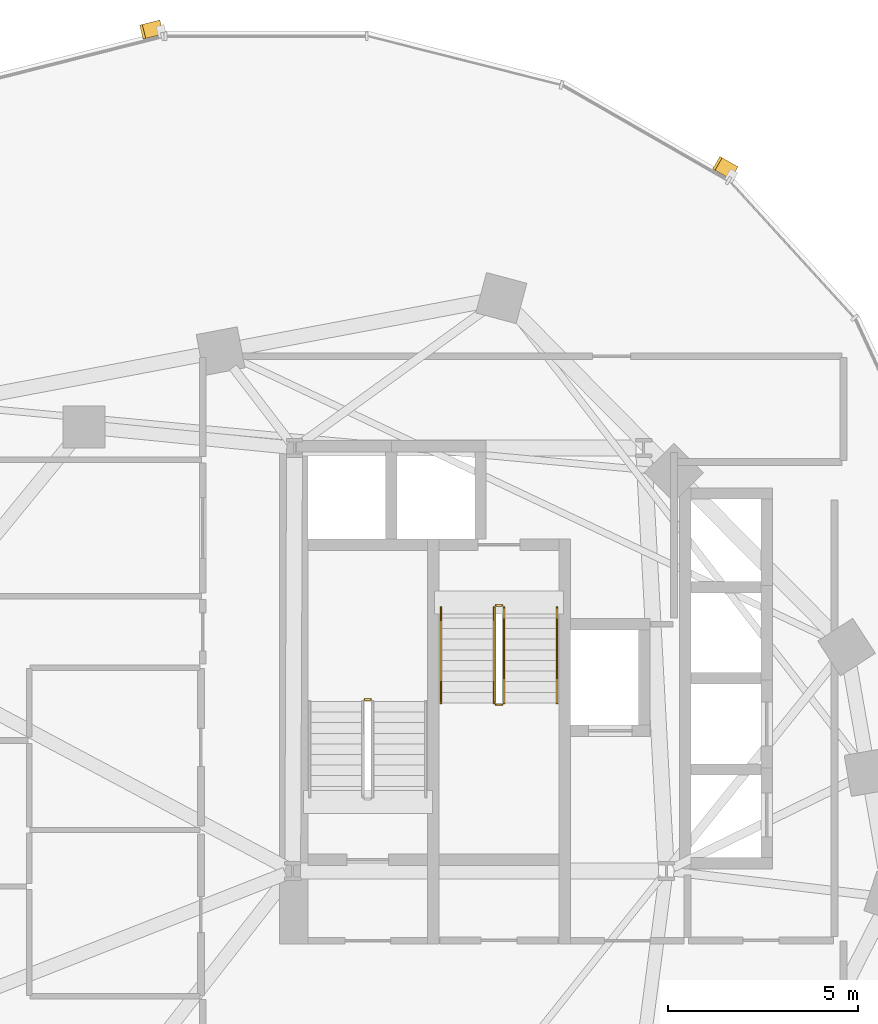
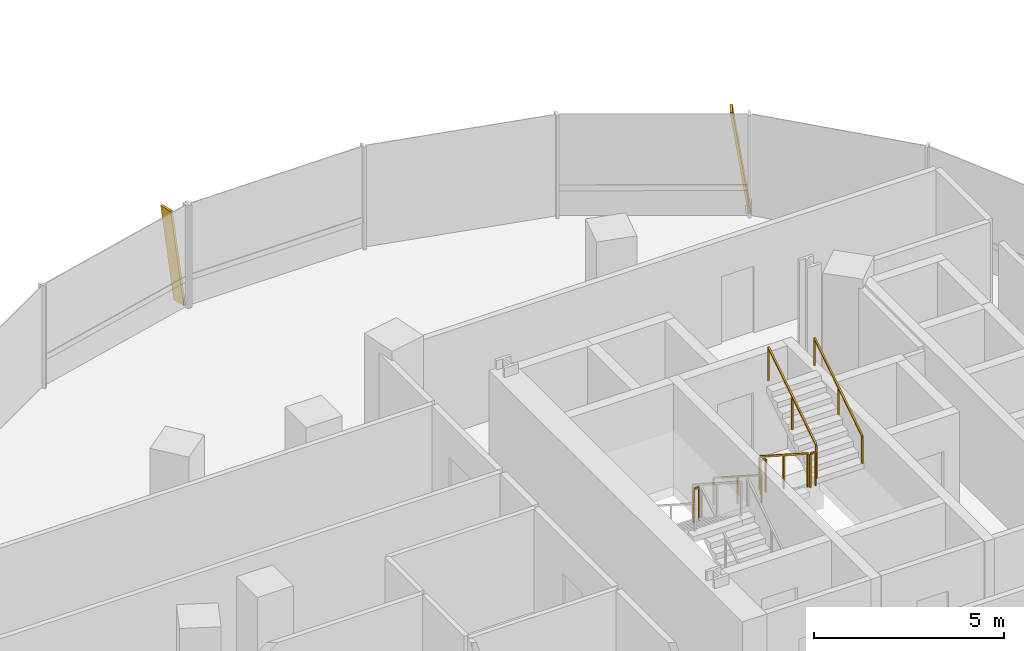
# One storey, part 19 of 21: 7 railings, 2 shading devices.
"""IFC4 building model written with IfcOpenShell, lengths in metres."""

from ifc_helpers import new_model, si_unit, direction, frame, origin, origin_2d, place, context, subcontext, project, spatial, rectangle, extrude, material, material_profile, profile_set, type_object, element, save


model = new_model("IFC4")

# Units and contexts
model_context = context("Model", 3, precision=1e-05, world=origin(), true_north=direction((0.0, 1.0)))
body_context = subcontext(model_context, "Body", "Model", "MODEL_VIEW")
ifc_project = project(units=[si_unit("LENGTHUNIT", "METRE"), si_unit("AREAUNIT", "SQUARE_METRE"), si_unit("VOLUMEUNIT", "CUBIC_METRE"), si_unit("PLANEANGLEUNIT", "RADIAN"), si_unit("MASSUNIT", "GRAM", prefix="KILO"), si_unit("THERMODYNAMICTEMPERATUREUNIT", "KELVIN"), si_unit("POWERUNIT", "WATT")], contexts=[model_context])

# Site, building, storey
site_placement = place(None, origin())
site = spatial("IfcSite", under=ifc_project, at=site_placement, CompositionType="ELEMENT")
building_placement = place(site_placement, origin())
building = spatial("IfcBuilding", under=site, at=building_placement, Name="Cundina Bronze Exchange", CompositionType="ELEMENT")
storey_placement = place(building_placement, frame((0.0, 0.0, 85.39990234375)))
storey = spatial("IfcBuildingStorey", under=building, at=storey_placement, Name="L21", CompositionType="ELEMENT", Elevation=85.39990234375)

# Railings
ifc_material_1 = material(Name="Steel ASTM A36 Painted", Category="steel")
railing_type_1 = type_object("IfcRailingType", Name="RLG-HND-900", PredefinedType="HANDRAIL", material=ifc_material_1)
railing_1_placement = place(storey_placement, frame((-27.389892578125, 10.85009765625, 0.18017578125)))
element("IfcRailing", 1, at=railing_1_placement, inside=storey, type_object=railing_type_1, Name="L21 ST-W2 stair handrail 1", PredefinedType="HANDRAIL", context=body_context, shape_type="SweptSolid", body=[
    extrude(rectangle(XDim=0.048095703125, YDim=0.048095703125, at=origin_2d()), frame((0.0, 0.0, 0.8759765625), z_axis=(0.0, -0.841199657755, 0.540724639528), x_axis=(1.0, 0.0, 0.0)), (0.0, 0.0, 1.0), 2.995849609375),
    extrude(rectangle(XDim=0.0419921875, YDim=0.0419921875, at=origin_2d()), origin(), (0.0, 0.0, 1.0), 0.851806640625),
    extrude(rectangle(XDim=0.0419921875, YDim=0.0419921875, at=origin_2d()), frame((0.0, -1.260009765625, 0.81005859375)), (0.0, 0.0, 1.0), 0.851806640625),
    extrude(rectangle(XDim=0.0419921875, YDim=0.0419921875, at=origin_2d()), frame((0.0, -2.52001953125, 1.619873046875)), (0.0, 0.0, 1.0), 0.851806640625),
])
railing_2_placement = place(storey_placement, frame((-24.330078125, 8.330078125, 1.97998046875)))
element("IfcRailing", 2, at=railing_2_placement, inside=storey, type_object=railing_type_1, Name="L21 ST-W2 stair handrail 2", PredefinedType="HANDRAIL", context=body_context, shape_type="SweptSolid", body=[
    extrude(rectangle(XDim=0.048095703125, YDim=0.048095703125, at=origin_2d()), frame((0.0, 0.0, 0.8759765625), z_axis=(0.0, 0.841162588446, 0.540782303519), x_axis=(-1.0, 0.0, 0.0)), (0.0, 0.0, 1.0), 2.995849609375),
    extrude(rectangle(XDim=0.0419921875, YDim=0.0419921875, at=origin_2d()), origin(), (0.0, 0.0, 1.0), 0.851806640625),
    extrude(rectangle(XDim=0.0419921875, YDim=0.0419921875, at=origin_2d()), frame((0.0, 1.260009765625, 0.81005859375)), (0.0, 0.0, 1.0), 0.851806640625),
    extrude(rectangle(XDim=0.0419921875, YDim=0.0419921875, at=origin_2d()), frame((0.0, 2.52001953125, 1.6201171875)), (0.0, 0.0, 1.0), 0.851806640625),
])
railing_type_2 = type_object("IfcRailingType", Name="RLG-STG-1100", PredefinedType="GUARDRAIL", material=ifc_material_1)
railing_3_placement = place(storey_placement, frame((-29.239990234375, 8.419921875, 1.800048828125)))
element("IfcRailing", 3, at=railing_3_placement, inside=storey, type_object=railing_type_2, Name="L21 ST-W1 stair guard 2", PredefinedType="GUARDRAIL", context=body_context, shape_type="SweptSolid", body=[
    extrude(rectangle(XDim=0.048095703125, YDim=0.048095703125, at=origin_2d()), frame((0.0, 0.0, 1.076171875), z_axis=(-1.0, 0.0, 0.0), x_axis=(0.0, -1.0, 0.0)), (0.0, 0.0, 1.0), 0.159912109375),
    extrude(rectangle(XDim=0.0419921875, YDim=0.0419921875, at=origin_2d()), origin(), (0.0, 0.0, 1.0), 1.052001953125),
    extrude(rectangle(XDim=0.0419921875, YDim=0.0419921875, at=origin_2d()), frame((-0.159912109375, 0.0, 0.0)), (0.0, 0.0, 1.0), 1.052001953125),
])
railing_4_placement = place(storey_placement, frame((-25.989990234375, 10.85009765625, 0.18017578125)))
element("IfcRailing", 4, at=railing_4_placement, inside=storey, type_object=railing_type_2, Name="L21 ST-W2 stair guard 1", PredefinedType="GUARDRAIL", context=body_context, shape_type="SweptSolid", body=[
    extrude(rectangle(XDim=0.048095703125, YDim=0.048095703125, at=origin_2d()), frame((0.0, 0.0, 1.076171875), z_axis=(0.0, -0.841199657755, 0.540724639528), x_axis=(1.0, 0.0, 0.0)), (0.0, 0.0, 1.0), 2.995849609375),
    extrude(rectangle(XDim=0.0419921875, YDim=0.0419921875, at=origin_2d()), origin(), (0.0, 0.0, 1.0), 1.052001953125),
    extrude(rectangle(XDim=0.0419921875, YDim=0.0419921875, at=origin_2d()), frame((0.0, -1.260009765625, 0.81005859375)), (0.0, 0.0, 1.0), 1.052001953125),
    extrude(rectangle(XDim=0.0419921875, YDim=0.0419921875, at=origin_2d()), frame((0.0, -2.52001953125, 1.619873046875)), (0.0, 0.0, 1.0), 1.052001953125),
])
railing_5_placement = place(storey_placement, frame((-25.93994140625, 8.280029296875, 1.800048828125)))
element("IfcRailing", 5, at=railing_5_placement, inside=storey, type_object=railing_type_2, Name="L21 ST-W2 stair guard 2", PredefinedType="GUARDRAIL", context=body_context, shape_type="SweptSolid", body=[
    extrude(rectangle(XDim=0.048095703125, YDim=0.048095703125, at=origin_2d()), frame((0.0, 0.0, 1.076171875), z_axis=(1.0, 0.0, 0.0), x_axis=(0.0, 1.0, 0.0)), (0.0, 0.0, 1.0), 0.159912109375),
    extrude(rectangle(XDim=0.0419921875, YDim=0.0419921875, at=origin_2d()), origin(), (0.0, 0.0, 1.0), 1.052001953125),
    extrude(rectangle(XDim=0.0419921875, YDim=0.0419921875, at=origin_2d()), frame((0.159912109375, 0.0, 0.0)), (0.0, 0.0, 1.0), 1.052001953125),
])
railing_6_placement = place(storey_placement, frame((-25.72998046875, 8.330078125, 1.97998046875)))
element("IfcRailing", 6, at=railing_6_placement, inside=storey, type_object=railing_type_2, Name="L21 ST-W2 stair guard 3", PredefinedType="GUARDRAIL", context=body_context, shape_type="SweptSolid", body=[
    extrude(rectangle(XDim=0.048095703125, YDim=0.048095703125, at=origin_2d()), frame((0.0, 0.0, 1.076171875), z_axis=(0.0, 0.841162588446, 0.540782303519), x_axis=(-1.0, 0.0, 0.0)), (0.0, 0.0, 1.0), 2.995849609375),
    extrude(rectangle(XDim=0.0419921875, YDim=0.0419921875, at=origin_2d()), origin(), (0.0, 0.0, 1.0), 1.052001953125),
    extrude(rectangle(XDim=0.0419921875, YDim=0.0419921875, at=origin_2d()), frame((0.0, 1.260009765625, 0.81005859375)), (0.0, 0.0, 1.0), 1.052001953125),
    extrude(rectangle(XDim=0.0419921875, YDim=0.0419921875, at=origin_2d()), frame((0.0, 2.52001953125, 1.6201171875)), (0.0, 0.0, 1.0), 1.052001953125),
])
railing_7_placement = place(storey_placement, frame((-25.93994140625, 10.89990234375, 0.0)))
element("IfcRailing", 7, at=railing_7_placement, inside=storey, type_object=railing_type_2, Name="L21 ST-W2 stair guard 4", PredefinedType="GUARDRAIL", context=body_context, shape_type="SweptSolid", body=[
    extrude(rectangle(XDim=0.048095703125, YDim=0.048095703125, at=origin_2d()), frame((0.0, 0.0, 1.076171875), z_axis=(1.0, 0.0, 0.0), x_axis=(0.0, 1.0, 0.0)), (0.0, 0.0, 1.0), 0.159912109375),
    extrude(rectangle(XDim=0.0419921875, YDim=0.0419921875, at=origin_2d()), origin(), (0.0, 0.0, 1.0), 1.052001953125),
    extrude(rectangle(XDim=0.0419921875, YDim=0.0419921875, at=origin_2d()), frame((0.159912109375, 0.0, 0.0)), (0.0, 0.0, 1.0), 1.052001953125),
])

# Shading devices
ifc_material_2 = material(Name="Anodised Bronze Aluminium 6063-T6", Category="aluminium")
ifc_material_profile = material_profile(ifc_material_2, rectangle(XDim=0.070068359375, YDim=0.3798828125, at=origin_2d()), Name="FIN70X380", Category="aluminium")
ifc_profile_set = profile_set([ifc_material_profile], Name="Anodised Bronze Aluminium 6063-T6")
shading_device_type = type_object("IfcShadingDeviceType", Name="SHD-FIN-BRZ380", PredefinedType="USERDEFINED", material=ifc_profile_set)
for number, where, z_axis, x_axis, name in (
    (8, (-19.685791015625, 22.314208984375, 0.02001953125), (-0.126324692219, 0.072534823274, 0.989333498649), (0.857958278167, -0.492634108109, 0.145668213594), "L21 Diagonal Bronze Solar Fin 5"),
    (9, (-34.787353515625, 26.138427734375, 0.02001953125), (-0.141217047268, -0.035711761166, 0.989334329575), (0.95914051701, 0.242552848478, 0.145662570088), "L21 Diagonal Bronze Solar Fin 1"),
):
    element("IfcShadingDevice", number, at=place(storey_placement, frame(where, z_axis=z_axis, x_axis=x_axis)), inside=storey, type_object=shading_device_type, Name=name, ObjectType="FIN", PredefinedType="USERDEFINED", context=body_context, shape_type="SweptSolid", body=[
        extrude(rectangle(XDim=0.070068359375, YDim=0.3798828125, at=origin_2d()), origin(), (0.0, 0.0, 1.0), 3.295166015625),
    ])

save(model, "model.ifc")
